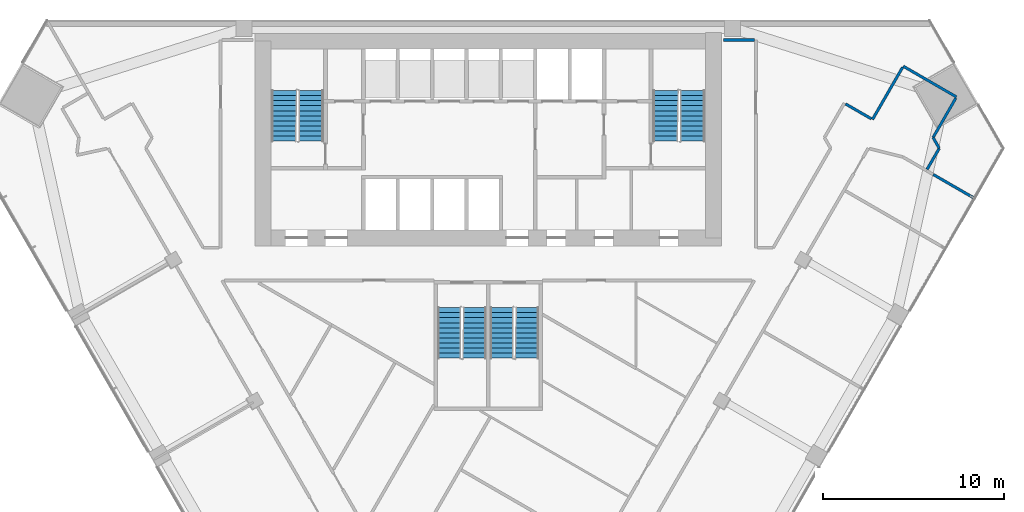
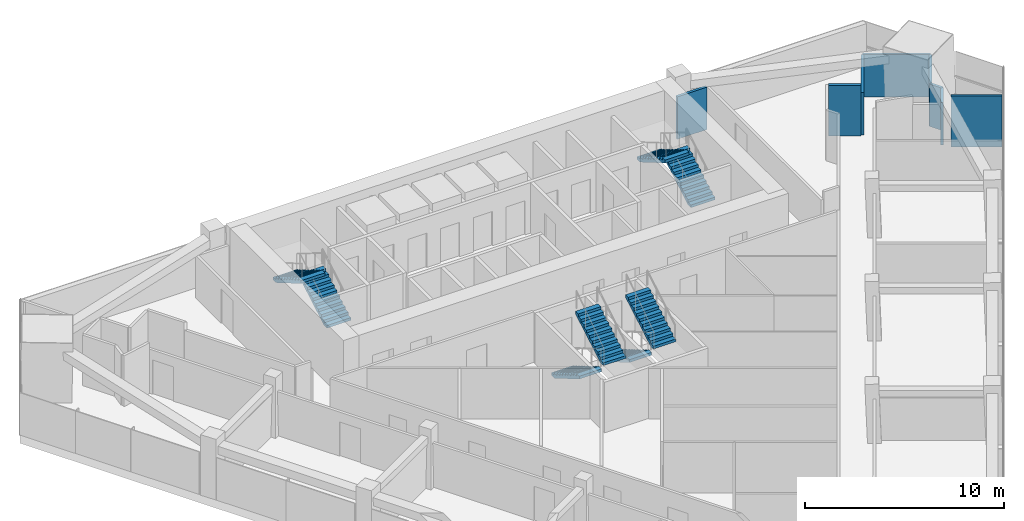
# One storey, part 12 of 14: 8 stair flights, 8 walls, 4 elements without a shape of their own.
"""IFC4 building model written with IfcOpenShell, lengths in metres."""

from ifc_helpers import new_model, si_unit, direction, frame, frame_2d, origin, place, context, subcontext, project, spatial, polyline, rectangle, outline, extrude, material, layer, layer_set, type_object, element, aggregate, save


model = new_model("IFC4")

# Units and contexts
model_context = context("Model", 3, precision=1e-05, world=origin(), true_north=direction((0.0, 1.0)))
body_context = subcontext(model_context, "Body", "Model", "MODEL_VIEW")
ifc_project = project(units=[si_unit("LENGTHUNIT", "METRE"), si_unit("AREAUNIT", "SQUARE_METRE"), si_unit("VOLUMEUNIT", "CUBIC_METRE"), si_unit("PLANEANGLEUNIT", "RADIAN"), si_unit("MASSUNIT", "GRAM", prefix="KILO")], contexts=[model_context])

# Site, building, storey
site_placement = place(None, origin())
site = spatial("IfcSite", under=ifc_project, at=site_placement, CompositionType="ELEMENT")
building_placement = place(site_placement, origin())
building = spatial("IfcBuilding", under=site, at=building_placement, Name="Altiplano Prism Tower", CompositionType="ELEMENT")
storey_placement = place(building_placement, frame((0.0, 0.0, 111.60009765625)))
storey = spatial("IfcBuildingStorey", under=building, at=storey_placement, Name="L28", CompositionType="ELEMENT", Elevation=111.60009765625)

# Walls
ifc_material_1 = material(Name="Plasterboard on steel stud", Category="steel")
ifc_layer_1 = layer(ifc_material_1, 0.14990234375)
ifc_layer_set_1 = layer_set([ifc_layer_1], Name="Plasterboard on steel stud")
wall_type_1 = type_object("IfcWallType", Name="Partition 150 corridor", PredefinedType="PARTITIONING", material=ifc_layer_set_1)
wall_1_placement = place(storey_placement, frame((109.26513671875, 96.740234375, 0.0), z_axis=(0.0, 0.0, 1.0), x_axis=(0.500078207394, 0.865980246016, 0.0)))
element("IfcWall", 1, at=wall_1_placement, inside=storey, type_object=wall_type_1, Name="Partition P06 L28 013", PredefinedType="PARTITIONING", context=body_context, shape_type="SweptSolid", body=[
    extrude(rectangle(XDim=1.346435546875, YDim=0.14990234375, at=frame_2d((0.67333984375, 0.0))), origin(), (0.0, 0.0, 1.0), 2.599853515625),
])
wall_2_placement = place(storey_placement, frame((109.9384765625, 97.90625, 0.0), z_axis=(0.0, 0.0, 1.0), x_axis=(-0.500236074689, 0.865889063091, 0.0)))
element("IfcWall", 2, at=wall_2_placement, inside=storey, type_object=wall_type_1, Name="Partition P06 L28 014", PredefinedType="PARTITIONING", context=body_context, shape_type="SweptSolid", body=[
    extrude(rectangle(XDim=0.685791015625, YDim=0.14990234375, at=frame_2d((0.3427734375, 0.0))), origin(), (0.0, 0.0, 1.0), 2.599853515625),
])
wall_3_placement = place(storey_placement, frame((109.595458984375, 98.5, 0.0), z_axis=(0.0, 0.0, 1.0), x_axis=(0.500072327845, 0.865983641256, 0.0)))
element("IfcWall", 3, at=wall_3_placement, inside=storey, type_object=wall_type_1, Name="Partition P06 L28 015", PredefinedType="PARTITIONING", context=body_context, shape_type="SweptSolid", body=[
    extrude(rectangle(XDim=2.516845703125, YDim=0.14990234375, at=frame_2d((1.25830078125, 0.0))), origin(), (0.0, 0.0, 1.0), 2.599853515625),
])
wall_4_placement = place(storey_placement, frame((110.891357421875, 100.744384765625, 0.0), z_axis=(0.0, 0.0, 1.0), x_axis=(-0.865989465428, 0.500062241894, 0.0)))
element("IfcWall", 4, at=wall_4_placement, inside=storey, type_object=wall_type_1, Name="Partition P06 L28 016", PredefinedType="PARTITIONING", context=body_context, shape_type="SweptSolid", body=[
    extrude(rectangle(XDim=3.39990234375, YDim=0.14990234375, at=frame_2d((1.699951171875, 0.0))), origin(), (0.0, 0.0, 1.0), 2.599853515625),
])
wall_5_placement = place(storey_placement, frame((107.909423828125, 102.379638671875, 0.0), z_axis=(0.0, 0.0, 1.0), x_axis=(-0.500008456887, -0.866020521143, 0.0)))
element("IfcWall", 5, at=wall_5_placement, inside=storey, type_object=wall_type_1, Name="Partition P06 L28 017", PredefinedType="PARTITIONING", context=body_context, shape_type="SweptSolid", body=[
    extrude(rectangle(XDim=3.3251953125, YDim=0.14990234375, at=frame_2d((1.66259765625, 0.0))), origin(), (0.0, 0.0, 1.0), 2.599853515625),
])
wall_6_placement = place(storey_placement, frame((106.181884765625, 99.53759765625, 0.0), z_axis=(0.0, 0.0, 1.0), x_axis=(-0.866040211805, 0.499974350878, 0.0)))
element("IfcWall", 6, at=wall_6_placement, inside=storey, type_object=wall_type_1, Name="Partition P06 L28 018", PredefinedType="PARTITIONING", context=body_context, shape_type="SweptSolid", body=[
    extrude(rectangle(XDim=1.64990234375, YDim=0.14990234375, at=frame_2d((0.824951171875, 0.0))), origin(), (0.0, 0.0, 1.0), 3.099853515625),
])
wall_7_placement = place(storey_placement, frame((99.72509765625, 103.89990234375, 0.0), z_axis=(0.0, 0.0, 1.0), x_axis=(-1.0, 0.0, 0.0)))
element("IfcWall", 7, at=wall_7_placement, inside=storey, type_object=wall_type_1, Name="Partition P06 L28 024", PredefinedType="PARTITIONING", context=body_context, shape_type="SweptSolid", body=[
    extrude(rectangle(XDim=1.72509765625, YDim=0.14990234375, at=frame_2d((0.862548828125, 0.0))), origin(), (0.0, 0.0, 1.0), 2.599853515625),
])
ifc_layer_2 = layer(ifc_material_1, 0.14990234375)
ifc_layer_set_2 = layer_set([ifc_layer_2], Name="Plasterboard on steel stud")
wall_type_2 = type_object("IfcWallType", Name="Partition 150 party", PredefinedType="PARTITIONING", material=ifc_layer_set_2)
wall_8_placement = place(storey_placement, frame((111.82568359375, 95.17529296875, 0.0), z_axis=(0.0, 0.0, 1.0), x_axis=(-0.866009728883, 0.500027148743, 0.0)))
element("IfcWall", 8, at=wall_8_placement, inside=storey, type_object=wall_type_2, Name="Partition P01 L28 051", PredefinedType="PARTITIONING", context=body_context, shape_type="SweptSolid", body=[
    extrude(rectangle(XDim=2.566162109375, YDim=0.14990234375, at=frame_2d((1.283203125, 0.0))), origin(), (0.0, 0.0, 1.0), 3.099853515625),
])

# Stair, stair flights
ifc_material_2 = material(Name="Concrete C40/50", Category="concrete")
stair_type_1 = type_object("IfcStairType", Name="Exit stair 1400", PredefinedType="HALF_TURN_STAIR", material=ifc_material_2)
stair_1_placement = place(storey_placement, origin())
stair_1 = element("IfcStair", 9, at=stair_1_placement, inside=storey, type_object=stair_type_1, Name="L28 Exit Stair 1", PredefinedType="HALF_TURN_STAIR")
stair_flight_type = type_object("IfcStairFlightType", Name="Stair flight concrete 150", PredefinedType="STRAIGHT", material=ifc_material_2)
stair_flight_1_placement = place(storey_placement, frame((75.199951171875, 98.300048828125, 0.0), z_axis=(0.0, 0.0, 1.0), x_axis=(0.0, 1.0, 0.0)))
stair_flight_1 = element("IfcStairFlight", 10, at=stair_flight_1_placement, type_object=stair_flight_type, Name="ST1 flight 1", NumberOfRisers=11, NumberOfTreads=10, PredefinedType="STRAIGHT", RiserHeight=0.163636364, TreadLength=0.28, context=body_context, shape_type="SweptSolid", body=[
    extrude(outline(polyline([(0.0, 0.0), (0.0, 0.16357421875), (0.280029296875, 0.16357421875), (0.280029296875, 0.327392578125), (0.56005859375, 0.327392578125), (0.56005859375, 0.490966796875), (0.840087890625, 0.490966796875), (0.840087890625, 0.654541015625), (1.1201171875, 0.654541015625), (1.1201171875, 0.818115234375), (1.39990234375, 0.818115234375), (1.39990234375, 0.98193359375), (1.679931640625, 0.98193359375), (1.679931640625, 1.1455078125), (1.9599609375, 1.1455078125), (1.9599609375, 1.30908203125), (2.239990234375, 1.30908203125), (2.239990234375, 1.47265625), (2.52001953125, 1.47265625), (2.52001953125, 1.636474609375), (2.800048828125, 1.636474609375), (2.800048828125, 1.800048828125), (2.800048828125, 1.462646484375), (0.297119140625, 0.0), (0.0, 0.0)])), frame((0.0, 0.699951171875, 0.0), z_axis=(0.0, -1.0, 0.0), x_axis=(1.0, 0.0, 0.0)), (0.0, 0.0, 1.0), 1.39990234375),
])
stair_flight_2_placement = place(storey_placement, frame((73.699951171875, 101.10009765625, 1.7998046875), z_axis=(0.0, 0.0, 1.0), x_axis=(0.0, -1.0, 0.0)))
stair_flight_2 = element("IfcStairFlight", 11, at=stair_flight_2_placement, type_object=stair_flight_type, Name="ST1 flight 2", NumberOfRisers=11, NumberOfTreads=10, PredefinedType="STRAIGHT", RiserHeight=0.163636364, TreadLength=0.28, context=body_context, shape_type="SweptSolid", body=[
    extrude(outline(polyline([(0.0, 0.0), (0.0, 0.16357421875), (0.280029296875, 0.16357421875), (0.280029296875, 0.327392578125), (0.56005859375, 0.327392578125), (0.56005859375, 0.490966796875), (0.840087890625, 0.490966796875), (0.840087890625, 0.654541015625), (1.1201171875, 0.654541015625), (1.1201171875, 0.818115234375), (1.39990234375, 0.818115234375), (1.39990234375, 0.98193359375), (1.679931640625, 0.98193359375), (1.679931640625, 1.1455078125), (1.9599609375, 1.1455078125), (1.9599609375, 1.30908203125), (2.239990234375, 1.30908203125), (2.239990234375, 1.47265625), (2.52001953125, 1.47265625), (2.52001953125, 1.636474609375), (2.800048828125, 1.636474609375), (2.800048828125, 1.800048828125), (2.800048828125, 1.462646484375), (0.297119140625, 0.0), (0.0, 0.0)])), frame((0.0, 0.699951171875, 0.0), z_axis=(0.0, -1.0, 0.0), x_axis=(1.0, 0.0, 0.0)), (0.0, 0.0, 1.0), 1.39990234375),
])
aggregate(stair_1, [stair_flight_1, stair_flight_2])

stair_2_placement = place(storey_placement, origin())
stair_2 = element("IfcStair", 12, at=stair_2_placement, inside=storey, type_object=stair_type_1, Name="L28 Exit Stair 2", PredefinedType="HALF_TURN_STAIR")
stair_flight_3_placement = place(storey_placement, frame((96.300048828125, 98.300048828125, 0.0), z_axis=(0.0, 0.0, 1.0), x_axis=(0.0, 1.0, 0.0)))
stair_flight_3 = element("IfcStairFlight", 13, at=stair_flight_3_placement, type_object=stair_flight_type, Name="ST2 flight 1", NumberOfRisers=11, NumberOfTreads=10, PredefinedType="STRAIGHT", RiserHeight=0.163636364, TreadLength=0.28, context=body_context, shape_type="SweptSolid", body=[
    extrude(outline(polyline([(0.0, 0.0), (0.0, 0.16357421875), (0.280029296875, 0.16357421875), (0.280029296875, 0.327392578125), (0.56005859375, 0.327392578125), (0.56005859375, 0.490966796875), (0.840087890625, 0.490966796875), (0.840087890625, 0.654541015625), (1.1201171875, 0.654541015625), (1.1201171875, 0.818115234375), (1.39990234375, 0.818115234375), (1.39990234375, 0.98193359375), (1.679931640625, 0.98193359375), (1.679931640625, 1.1455078125), (1.9599609375, 1.1455078125), (1.9599609375, 1.30908203125), (2.239990234375, 1.30908203125), (2.239990234375, 1.47265625), (2.52001953125, 1.47265625), (2.52001953125, 1.636474609375), (2.800048828125, 1.636474609375), (2.800048828125, 1.800048828125), (2.800048828125, 1.462646484375), (0.297119140625, 0.0), (0.0, 0.0)])), frame((0.0, 0.699951171875, 0.0), z_axis=(0.0, -1.0, 0.0), x_axis=(1.0, 0.0, 0.0)), (0.0, 0.0, 1.0), 1.39990234375),
])
stair_flight_4_placement = place(storey_placement, frame((94.800048828125, 101.10009765625, 1.7998046875), z_axis=(0.0, 0.0, 1.0), x_axis=(0.0, -1.0, 0.0)))
stair_flight_4 = element("IfcStairFlight", 14, at=stair_flight_4_placement, type_object=stair_flight_type, Name="ST2 flight 2", NumberOfRisers=11, NumberOfTreads=10, PredefinedType="STRAIGHT", RiserHeight=0.163636364, TreadLength=0.28, context=body_context, shape_type="SweptSolid", body=[
    extrude(outline(polyline([(0.0, 0.0), (0.0, 0.16357421875), (0.280029296875, 0.16357421875), (0.280029296875, 0.327392578125), (0.56005859375, 0.327392578125), (0.56005859375, 0.490966796875), (0.840087890625, 0.490966796875), (0.840087890625, 0.654541015625), (1.1201171875, 0.654541015625), (1.1201171875, 0.818115234375), (1.39990234375, 0.818115234375), (1.39990234375, 0.98193359375), (1.679931640625, 0.98193359375), (1.679931640625, 1.1455078125), (1.9599609375, 1.1455078125), (1.9599609375, 1.30908203125), (2.239990234375, 1.30908203125), (2.239990234375, 1.47265625), (2.52001953125, 1.47265625), (2.52001953125, 1.636474609375), (2.800048828125, 1.636474609375), (2.800048828125, 1.800048828125), (2.800048828125, 1.462646484375), (0.297119140625, 0.0), (0.0, 0.0)])), frame((0.0, 0.699951171875, 0.0), z_axis=(0.0, -1.0, 0.0), x_axis=(1.0, 0.0, 0.0)), (0.0, 0.0, 1.0), 1.39990234375),
])
aggregate(stair_2, [stair_flight_3, stair_flight_4])

stair_type_2 = type_object("IfcStairType", Name="Exit stair 1300", PredefinedType="HALF_TURN_STAIR", material=ifc_material_2)
stair_3_placement = place(storey_placement, origin())
stair_3 = element("IfcStair", 15, at=stair_3_placement, inside=storey, type_object=stair_type_2, Name="L28 Exit Stair 3A", PredefinedType="HALF_TURN_STAIR")
stair_flight_5_placement = place(storey_placement, frame((82.85009765625, 89.10009765625, 0.0), z_axis=(0.0, 0.0, 1.0), x_axis=(0.0, -1.0, 0.0)))
stair_flight_5 = element("IfcStairFlight", 16, at=stair_flight_5_placement, type_object=stair_flight_type, Name="ST3A flight 1", NumberOfRisers=11, NumberOfTreads=10, PredefinedType="STRAIGHT", RiserHeight=0.163636364, TreadLength=0.28, context=body_context, shape_type="SweptSolid", body=[
    extrude(outline(polyline([(0.0, 0.0), (0.0, 0.16357421875), (0.280029296875, 0.16357421875), (0.280029296875, 0.327392578125), (0.56005859375, 0.327392578125), (0.56005859375, 0.490966796875), (0.840087890625, 0.490966796875), (0.840087890625, 0.654541015625), (1.1201171875, 0.654541015625), (1.1201171875, 0.818115234375), (1.39990234375, 0.818115234375), (1.39990234375, 0.98193359375), (1.679931640625, 0.98193359375), (1.679931640625, 1.1455078125), (1.9599609375, 1.1455078125), (1.9599609375, 1.30908203125), (2.239990234375, 1.30908203125), (2.239990234375, 1.47265625), (2.52001953125, 1.47265625), (2.52001953125, 1.636474609375), (2.800048828125, 1.636474609375), (2.800048828125, 1.800048828125), (2.800048828125, 1.462646484375), (0.297119140625, 0.0), (0.0, 0.0)])), frame((0.0, 0.64990234375, 0.0), z_axis=(0.0, -1.0, 0.0), x_axis=(1.0, 0.0, 0.0)), (0.0, 0.0, 1.0), 1.300048828125),
])
stair_flight_6_placement = place(storey_placement, frame((84.25, 86.300048828125, 1.7998046875), z_axis=(0.0, 0.0, 1.0), x_axis=(0.0, 1.0, 0.0)))
stair_flight_6 = element("IfcStairFlight", 17, at=stair_flight_6_placement, type_object=stair_flight_type, Name="ST3A flight 2", NumberOfRisers=11, NumberOfTreads=10, PredefinedType="STRAIGHT", RiserHeight=0.163636364, TreadLength=0.28, context=body_context, shape_type="SweptSolid", body=[
    extrude(outline(polyline([(0.0, 0.0), (0.0, 0.16357421875), (0.280029296875, 0.16357421875), (0.280029296875, 0.327392578125), (0.56005859375, 0.327392578125), (0.56005859375, 0.490966796875), (0.840087890625, 0.490966796875), (0.840087890625, 0.654541015625), (1.1201171875, 0.654541015625), (1.1201171875, 0.818115234375), (1.39990234375, 0.818115234375), (1.39990234375, 0.98193359375), (1.679931640625, 0.98193359375), (1.679931640625, 1.1455078125), (1.9599609375, 1.1455078125), (1.9599609375, 1.30908203125), (2.239990234375, 1.30908203125), (2.239990234375, 1.47265625), (2.52001953125, 1.47265625), (2.52001953125, 1.636474609375), (2.800048828125, 1.636474609375), (2.800048828125, 1.800048828125), (2.800048828125, 1.462646484375), (0.297119140625, 0.0), (0.0, 0.0)])), frame((0.0, 0.64990234375, 0.0), z_axis=(0.0, -1.0, 0.0), x_axis=(1.0, 0.0, 0.0)), (0.0, 0.0, 1.0), 1.300048828125),
])
aggregate(stair_3, [stair_flight_5, stair_flight_6])

stair_4_placement = place(storey_placement, origin())
stair_4 = element("IfcStair", 18, at=stair_4_placement, inside=storey, type_object=stair_type_2, Name="L28 Exit Stair 3B", PredefinedType="HALF_TURN_STAIR")
stair_flight_7_placement = place(storey_placement, frame((85.75, 89.10009765625, 0.0), z_axis=(0.0, 0.0, 1.0), x_axis=(0.0, -1.0, 0.0)))
stair_flight_7 = element("IfcStairFlight", 19, at=stair_flight_7_placement, type_object=stair_flight_type, Name="ST3B flight 1", NumberOfRisers=11, NumberOfTreads=10, PredefinedType="STRAIGHT", RiserHeight=0.163636364, TreadLength=0.28, context=body_context, shape_type="SweptSolid", body=[
    extrude(outline(polyline([(0.0, 0.0), (0.0, 0.16357421875), (0.280029296875, 0.16357421875), (0.280029296875, 0.327392578125), (0.56005859375, 0.327392578125), (0.56005859375, 0.490966796875), (0.840087890625, 0.490966796875), (0.840087890625, 0.654541015625), (1.1201171875, 0.654541015625), (1.1201171875, 0.818115234375), (1.39990234375, 0.818115234375), (1.39990234375, 0.98193359375), (1.679931640625, 0.98193359375), (1.679931640625, 1.1455078125), (1.9599609375, 1.1455078125), (1.9599609375, 1.30908203125), (2.239990234375, 1.30908203125), (2.239990234375, 1.47265625), (2.52001953125, 1.47265625), (2.52001953125, 1.636474609375), (2.800048828125, 1.636474609375), (2.800048828125, 1.800048828125), (2.800048828125, 1.462646484375), (0.297119140625, 0.0), (0.0, 0.0)])), frame((0.0, 0.64990234375, 0.0), z_axis=(0.0, -1.0, 0.0), x_axis=(1.0, 0.0, 0.0)), (0.0, 0.0, 1.0), 1.300048828125),
])
stair_flight_8_placement = place(storey_placement, frame((87.14990234375, 86.300048828125, 1.7998046875), z_axis=(0.0, 0.0, 1.0), x_axis=(0.0, 1.0, 0.0)))
stair_flight_8 = element("IfcStairFlight", 20, at=stair_flight_8_placement, type_object=stair_flight_type, Name="ST3B flight 2", NumberOfRisers=11, NumberOfTreads=10, PredefinedType="STRAIGHT", RiserHeight=0.163636364, TreadLength=0.28, context=body_context, shape_type="SweptSolid", body=[
    extrude(outline(polyline([(0.0, 0.0), (0.0, 0.16357421875), (0.280029296875, 0.16357421875), (0.280029296875, 0.327392578125), (0.56005859375, 0.327392578125), (0.56005859375, 0.490966796875), (0.840087890625, 0.490966796875), (0.840087890625, 0.654541015625), (1.1201171875, 0.654541015625), (1.1201171875, 0.818115234375), (1.39990234375, 0.818115234375), (1.39990234375, 0.98193359375), (1.679931640625, 0.98193359375), (1.679931640625, 1.1455078125), (1.9599609375, 1.1455078125), (1.9599609375, 1.30908203125), (2.239990234375, 1.30908203125), (2.239990234375, 1.47265625), (2.52001953125, 1.47265625), (2.52001953125, 1.636474609375), (2.800048828125, 1.636474609375), (2.800048828125, 1.800048828125), (2.800048828125, 1.462646484375), (0.297119140625, 0.0), (0.0, 0.0)])), frame((0.0, 0.64990234375, 0.0), z_axis=(0.0, -1.0, 0.0), x_axis=(1.0, 0.0, 0.0)), (0.0, 0.0, 1.0), 1.300048828125),
])
aggregate(stair_4, [stair_flight_7, stair_flight_8])

save(model, "model.ifc")
